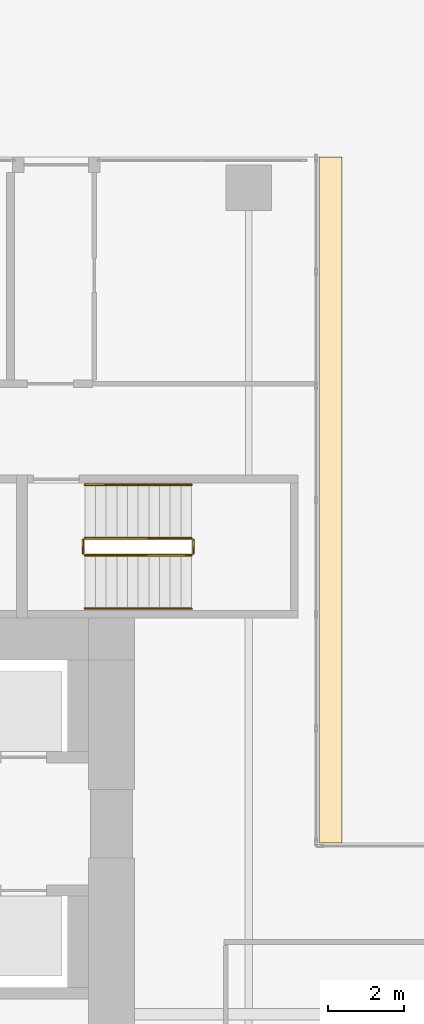
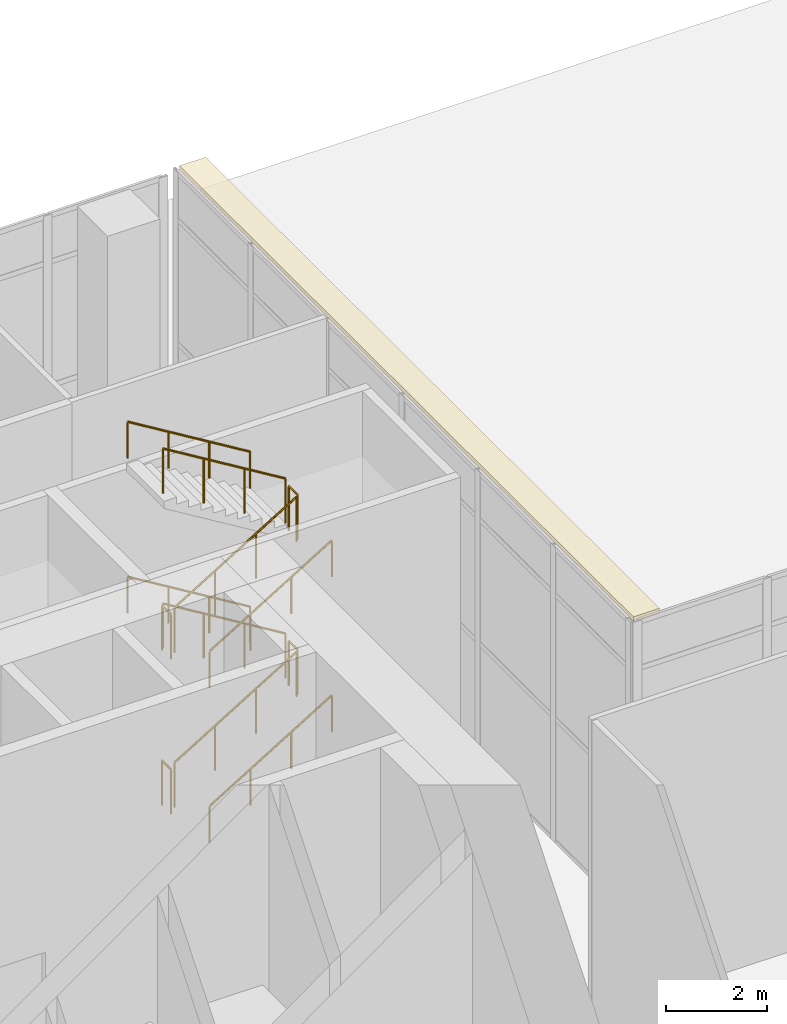
# One storey, part 47 of 52: 12 railings, 1 covering.
"""IFC4 building model written with IfcOpenShell, lengths in metres."""

from ifc_helpers import new_model, si_unit, direction, frame, origin, origin_2d, place, context, subcontext, project, spatial, polyline, circle, outline, extrude, source, transform, mapped, material, layer, layer_set, type_object, element, save


model = new_model("IFC4")

# Units and contexts
model_context = context("Model", 3, precision=1e-05, world=origin(), true_north=direction((0.0, 1.0)))
body_context = subcontext(model_context, "Body", "Model", "MODEL_VIEW")
ifc_project = project(units=[si_unit("LENGTHUNIT", "METRE"), si_unit("AREAUNIT", "SQUARE_METRE"), si_unit("VOLUMEUNIT", "CUBIC_METRE"), si_unit("PLANEANGLEUNIT", "RADIAN"), si_unit("MASSUNIT", "GRAM", prefix="KILO")], contexts=[model_context])

# Site, building, storey
site_placement = place(None, origin())
site = spatial("IfcSite", under=ifc_project, at=site_placement, CompositionType="ELEMENT")
building_placement = place(site_placement, origin())
building = spatial("IfcBuilding", under=site, at=building_placement, Name="Khomas Fold Tower", CompositionType="ELEMENT")
storey_placement = place(building_placement, origin())
storey = spatial("IfcBuildingStorey", under=building, at=storey_placement, Name="L00", CompositionType="ELEMENT", Elevation=0.0)

# Covering
ifc_material_1 = material(Name="Natural stone cladding", Category="masonry")
ifc_layer = layer(ifc_material_1, 0.1201171875)
ifc_layer_set = layer_set([ifc_layer], Name="Natural stone cladding")
covering_type = type_object("IfcCoveringType", Name="Notch soffit stone GN-SF", PredefinedType="CLADDING", material=ifc_layer_set)
shared_shape_1 = source(origin(), body_context, "Body", "SweptSolid", [
    extrude(outline(polyline([(29.449951171875, 36.0), (29.449951171875, 54.0), (28.85009765625, 54.0), (28.85009765625, 36.0), (29.449951171875, 36.0)])), origin(), (0.0, 0.0, 1.0), 0.119873046875),
])
covering_placement = place(storey_placement, frame((0.0, 0.0, 7.080078125)))
element("IfcCovering", 1, at=covering_placement, inside=storey, type_object=covering_type, Name="Notch soffit stone", PredefinedType="CLADDING", context=body_context, shape_type="MappedRepresentation", body=[
    mapped(shared_shape_1, transform((0.0, 0.0, 0.0))),
])

# Railings
ifc_material_2 = material(Name="Steel balustrade", Category="steel")
railing_type_1 = type_object("IfcRailingType", Name="Stair guard", PredefinedType="GUARDRAIL", material=ifc_material_2)
shared_shape_2 = source(origin(), body_context, "Body", "SweptSolid", [
    extrude(circle(Radius=0.02392578125, at=origin_2d()), frame((0.0, 0.0, 1.076171875), z_axis=(0.0, 1.0, 0.0), x_axis=(-1.0, 0.0, 0.0)), (0.0, 0.0, 1.0), 0.349853515625),
    extrude(circle(Radius=0.02099609375, at=origin_2d()), origin(), (0.0, 0.0, 1.0), 1.052001953125),
    extrude(circle(Radius=0.02099609375, at=origin_2d()), frame((0.0, 0.349853515625, 0.0)), (0.0, 0.0, 1.0), 1.052001953125),
])
for number, where, name in (
    (2, (25.550048828125, 43.60009765625, 1.875), "L00 ST3 stair guard 2"),
    (3, (22.64990234375, 43.60009765625, 3.75), "L00 ST3 stair guard 4"),
    (4, (25.550048828125, 43.60009765625, 5.625), "L00 ST3 stair guard 6"),
    (5, (22.64990234375, 43.60009765625, 0.0), "L00 ST3 stair guard 8"),
):
    element("IfcRailing", number, at=place(storey_placement, frame(where)), inside=storey, type_object=railing_type_1, Name=name, PredefinedType="GUARDRAIL", context=body_context, shape_type="MappedRepresentation", body=[
        mapped(shared_shape_2, transform((0.0, 0.0, 0.0))),
    ])
shared_shape_3 = source(origin(), body_context, "Body", "SweptSolid", [
    extrude(circle(Radius=0.02392578125, at=origin_2d()), frame((0.0, 0.0, 1.076171875), z_axis=(0.854169791009, 0.0, 0.51999420009), x_axis=(0.0, 1.0, 0.0)), (0.0, 0.0, 1.0), 3.278076171875),
    extrude(circle(Radius=0.02099609375, at=origin_2d()), origin(), (0.0, 0.0, 1.0), 1.052001953125),
    extrude(circle(Radius=0.02099609375, at=origin_2d()), frame((0.933349609375, 0.0, 0.568115234375)), (0.0, 0.0, 1.0), 1.052001953125),
    extrude(circle(Radius=0.02099609375, at=origin_2d()), frame((1.86669921875, 0.0, 1.136474609375)), (0.0, 0.0, 1.0), 1.052001953125),
    extrude(circle(Radius=0.02099609375, at=origin_2d()), frame((2.800048828125, 0.0, 1.70458984375)), (0.0, 0.0, 1.0), 1.052001953125),
])
for number, where, name in (
    (6, (22.699951171875, 43.550048828125, 0.17041015625), "L00 ST3 stair guard 1"),
    (7, (22.699951171875, 43.550048828125, 3.92041015625), "L00 ST3 stair guard 5"),
):
    element("IfcRailing", number, at=place(storey_placement, frame(where)), inside=storey, type_object=railing_type_1, Name=name, PredefinedType="GUARDRAIL", context=body_context, shape_type="MappedRepresentation", body=[
        mapped(shared_shape_3, transform((0.0, 0.0, 0.0))),
    ])
shared_shape_4 = source(origin(), body_context, "Body", "SweptSolid", [
    extrude(circle(Radius=0.02392578125, at=origin_2d()), frame((0.0, 0.0, 1.076171875), z_axis=(-0.854169791009, 0.0, 0.51999420009), x_axis=(0.0, -1.0, 0.0)), (0.0, 0.0, 1.0), 3.278076171875),
    extrude(circle(Radius=0.02099609375, at=origin_2d()), origin(), (0.0, 0.0, 1.0), 1.052001953125),
    extrude(circle(Radius=0.02099609375, at=origin_2d()), frame((-0.933349609375, 0.0, 0.568115234375)), (0.0, 0.0, 1.0), 1.052001953125),
    extrude(circle(Radius=0.02099609375, at=origin_2d()), frame((-1.86669921875, 0.0, 1.136474609375)), (0.0, 0.0, 1.0), 1.052001953125),
    extrude(circle(Radius=0.02099609375, at=origin_2d()), frame((-2.800048828125, 0.0, 1.70458984375)), (0.0, 0.0, 1.0), 1.052001953125),
])
for number, where, name in (
    (8, (25.5, 44.0, 2.04541015625), "L00 ST3 stair guard 3"),
    (9, (25.5, 44.0, 5.79541015625), "L00 ST3 stair guard 7"),
):
    element("IfcRailing", number, at=place(storey_placement, frame(where)), inside=storey, type_object=railing_type_1, Name=name, PredefinedType="GUARDRAIL", context=body_context, shape_type="MappedRepresentation", body=[
        mapped(shared_shape_4, transform((0.0, 0.0, 0.0))),
    ])
ifc_material_3 = material(Name="Steel handrail", Category="steel")
railing_type_2 = type_object("IfcRailingType", Name="Stair handrail", PredefinedType="HANDRAIL", material=ifc_material_3)
shared_shape_5 = source(origin(), body_context, "Body", "SweptSolid", [
    extrude(circle(Radius=0.02392578125, at=origin_2d()), frame((0.0, 0.0, 0.8759765625), z_axis=(0.854169791009, 0.0, 0.51999420009), x_axis=(0.0, 1.0, 0.0)), (0.0, 0.0, 1.0), 3.278076171875),
    extrude(circle(Radius=0.02099609375, at=origin_2d()), origin(), (0.0, 0.0, 1.0), 0.851806640625),
    extrude(circle(Radius=0.02099609375, at=origin_2d()), frame((0.933349609375, 0.0, 0.568115234375)), (0.0, 0.0, 1.0), 0.851806640625),
    extrude(circle(Radius=0.02099609375, at=origin_2d()), frame((1.86669921875, 0.0, 1.136474609375)), (0.0, 0.0, 1.0), 0.851806640625),
    extrude(circle(Radius=0.02099609375, at=origin_2d()), frame((2.800048828125, 0.0, 1.70458984375)), (0.0, 0.0, 1.0), 0.851806640625),
])
for number, where, name in (
    (10, (22.699951171875, 42.14990234375, 0.17041015625), "L00 ST3 stair handrail 1"),
    (11, (22.699951171875, 42.14990234375, 3.92041015625), "L00 ST3 stair handrail 3"),
):
    element("IfcRailing", number, at=place(storey_placement, frame(where)), inside=storey, type_object=railing_type_2, Name=name, PredefinedType="HANDRAIL", context=body_context, shape_type="MappedRepresentation", body=[
        mapped(shared_shape_5, transform((0.0, 0.0, 0.0))),
    ])
shared_shape_6 = source(origin(), body_context, "Body", "SweptSolid", [
    extrude(circle(Radius=0.02392578125, at=origin_2d()), frame((0.0, 0.0, 0.8759765625), z_axis=(-0.854169791009, 0.0, 0.51999420009), x_axis=(0.0, -1.0, 0.0)), (0.0, 0.0, 1.0), 3.278076171875),
    extrude(circle(Radius=0.02099609375, at=origin_2d()), origin(), (0.0, 0.0, 1.0), 0.851806640625),
    extrude(circle(Radius=0.02099609375, at=origin_2d()), frame((-0.933349609375, 0.0, 0.568115234375)), (0.0, 0.0, 1.0), 0.851806640625),
    extrude(circle(Radius=0.02099609375, at=origin_2d()), frame((-1.86669921875, 0.0, 1.136474609375)), (0.0, 0.0, 1.0), 0.851806640625),
    extrude(circle(Radius=0.02099609375, at=origin_2d()), frame((-2.800048828125, 0.0, 1.70458984375)), (0.0, 0.0, 1.0), 0.851806640625),
])
for number, where, name in (
    (12, (25.5, 45.39990234375, 2.04541015625), "L00 ST3 stair handrail 2"),
    (13, (25.5, 45.39990234375, 5.79541015625), "L00 ST3 stair handrail 4"),
):
    element("IfcRailing", number, at=place(storey_placement, frame(where)), inside=storey, type_object=railing_type_2, Name=name, PredefinedType="HANDRAIL", context=body_context, shape_type="MappedRepresentation", body=[
        mapped(shared_shape_6, transform((0.0, 0.0, 0.0))),
    ])

save(model, "model.ifc")
